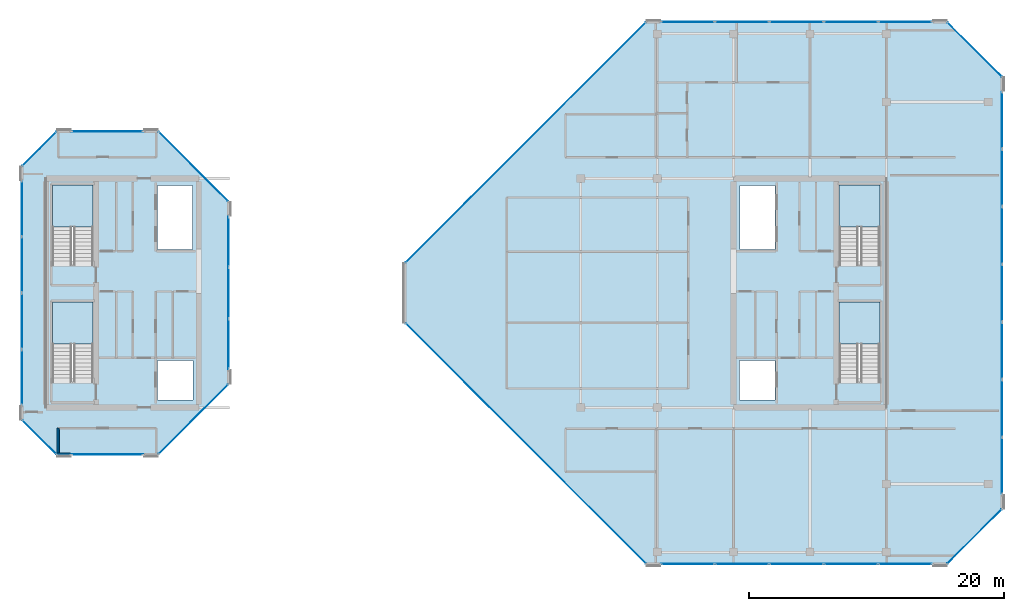
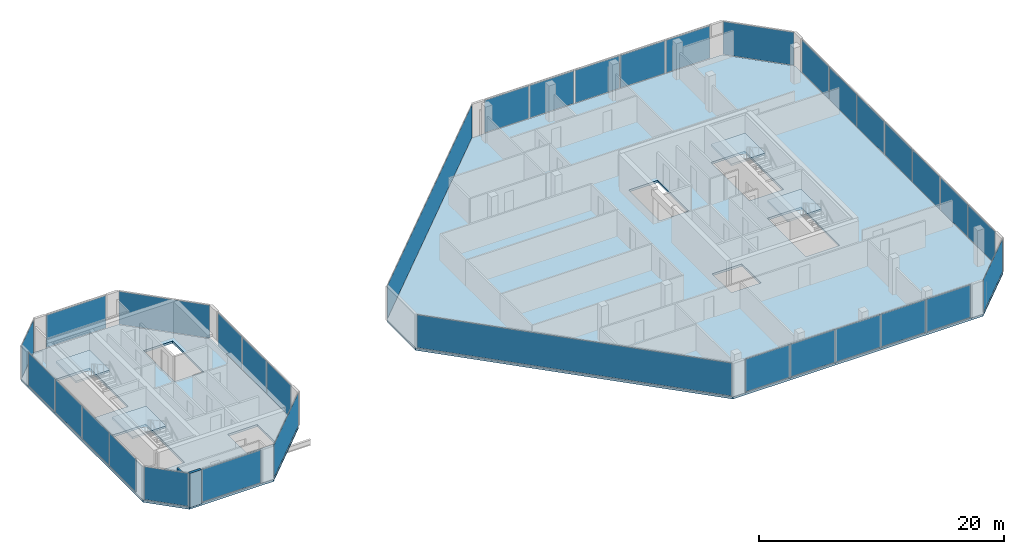
# One storey, part 22 of 30: 34 plates, 6 slabs, 2 walls, 19 elements without a shape of their own.
"""IFC4 building model written with IfcOpenShell, lengths in metres."""

from ifc_helpers import new_model, si_unit, direction, frame, frame_2d, origin, origin_2d, place, context, subcontext, project, spatial, polyline, rectangle, outline, extrude, material, layer, layer_set, type_object, element, aggregate, save


model = new_model("IFC4")

# Units and contexts
model_context = context("Model", 3, precision=1e-05, world=origin(), true_north=direction((0.0, 1.0)))
body_context = subcontext(model_context, "Body", "Model", "MODEL_VIEW")
ifc_project = project(units=[si_unit("LENGTHUNIT", "METRE"), si_unit("AREAUNIT", "SQUARE_METRE"), si_unit("VOLUMEUNIT", "CUBIC_METRE"), si_unit("PLANEANGLEUNIT", "RADIAN"), si_unit("MASSUNIT", "GRAM", prefix="KILO")], contexts=[model_context])

# Site, building, storey
site_placement = place(None, origin())
site = spatial("IfcSite", under=ifc_project, at=site_placement, CompositionType="ELEMENT")
building_placement = place(site_placement, origin())
building = spatial("IfcBuilding", under=site, at=building_placement, Name="Tanjung Sevakor Pilgrim Tower", CompositionType="ELEMENT")
storey_placement = place(building_placement, frame((0.0, 0.0, 253.43994140625)))
storey = spatial("IfcBuildingStorey", under=building, at=storey_placement, Name="L71", CompositionType="ELEMENT", Elevation=253.43994140625)

# Stair, slab
ifc_material_1 = material(Name="Concrete C40/50", Category="concrete")
stair_type = type_object("IfcStairType", Name="STAIR-ST-CR150", PredefinedType="HALF_TURN_STAIR", material=ifc_material_1)
stair_1_placement = place(storey_placement, origin())
stair_1 = element("IfcStair", 1, at=stair_1_placement, inside=storey, type_object=stair_type, Name="L71 West Core Exit Stair 1", PredefinedType="HALF_TURN_STAIR")
ifc_material_2 = material(Name="Concrete C40/50", Category="concrete")
ifc_layer_1 = layer(ifc_material_2, 0.199951171875)
ifc_layer_set_1 = layer_set([ifc_layer_1], Name="SL-LAND-200")
slab_type_1 = type_object("IfcSlabType", Name="SL-LAND-200", PredefinedType="LANDING", material=ifc_layer_set_1)
slab_1_placement = place(storey_placement, frame((0.0, 0.0, 1.614990234375)))
slab_1 = element("IfcSlab", 2, at=slab_1_placement, type_object=slab_type_1, Name="TS-W1 landing 1", PredefinedType="LANDING", context=body_context, shape_type="SweptSolid", body=[
    extrude(outline(polyline([(27.699951171875, 29.60009765625), (27.699951171875, 32.89990234375), (24.5, 32.89990234375), (24.5, 29.60009765625), (27.699951171875, 29.60009765625)])), origin(), (0.0, 0.0, 1.0), 0.199951171875),
])
aggregate(stair_1, [slab_1])

stair_2_placement = place(storey_placement, origin())
stair_2 = element("IfcStair", 3, at=stair_2_placement, inside=storey, type_object=stair_type, Name="L71 West Core Exit Stair 2", PredefinedType="HALF_TURN_STAIR")
slab_2_placement = place(storey_placement, frame((0.0, 0.0, 1.614990234375)))
slab_2 = element("IfcSlab", 4, at=slab_2_placement, type_object=slab_type_1, Name="TS-W2 landing 1", PredefinedType="LANDING", context=body_context, shape_type="SweptSolid", body=[
    extrude(outline(polyline([(27.699951171875, 38.800048828125), (27.699951171875, 42.10009765625), (24.5, 42.10009765625), (24.5, 38.800048828125), (27.699951171875, 38.800048828125)])), origin(), (0.0, 0.0, 1.0), 0.199951171875),
])
aggregate(stair_2, [slab_2])

stair_3_placement = place(storey_placement, origin())
stair_3 = element("IfcStair", 5, at=stair_3_placement, inside=storey, type_object=stair_type, Name="L71 East Core Exit Stair 1", PredefinedType="HALF_TURN_STAIR")
slab_3_placement = place(storey_placement, frame((0.0, 0.0, 1.614990234375)))
slab_3 = element("IfcSlab", 6, at=slab_3_placement, type_object=slab_type_1, Name="TS-E1 landing 1", PredefinedType="LANDING", context=body_context, shape_type="SweptSolid", body=[
    extrude(outline(polyline([(89.5, 29.60009765625), (89.5, 32.89990234375), (86.300048828125, 32.89990234375), (86.300048828125, 29.60009765625), (89.5, 29.60009765625)])), origin(), (0.0, 0.0, 1.0), 0.199951171875),
])
aggregate(stair_3, [slab_3])

stair_4_placement = place(storey_placement, origin())
stair_4 = element("IfcStair", 7, at=stair_4_placement, inside=storey, type_object=stair_type, Name="L71 East Core Exit Stair 2", PredefinedType="HALF_TURN_STAIR")
slab_4_placement = place(storey_placement, frame((0.0, 0.0, 1.614990234375)))
slab_4 = element("IfcSlab", 8, at=slab_4_placement, type_object=slab_type_1, Name="TS-E2 landing 1", PredefinedType="LANDING", context=body_context, shape_type="SweptSolid", body=[
    extrude(outline(polyline([(89.5, 38.800048828125), (89.5, 42.10009765625), (86.300048828125, 42.10009765625), (86.300048828125, 38.800048828125), (89.5, 38.800048828125)])), origin(), (0.0, 0.0, 1.0), 0.199951171875),
])
aggregate(stair_4, [slab_4])

# Slabs
ifc_material_3 = material(Name="Concrete C40/50", Category="concrete")
ifc_layer_2 = layer(ifc_material_3, 0.219970703125)
ifc_layer_set_2 = layer_set([ifc_layer_2], Name="SL-TWR-220")
slab_type_2 = type_object("IfcSlabType", Name="SL-TWR-220", PredefinedType="FLOOR", material=ifc_layer_set_2)
slab_5_placement = place(storey_placement, frame((0.0, 0.0, -0.219970703125)))
element("IfcSlab", 9, at=slab_5_placement, inside=storey, type_object=slab_type_2, Name="L71 Floor Slab WEST", PredefinedType="FLOOR", context=body_context, shape_type="SweptSolid", body=[
    extrude(outline(polyline([(24.846923828125, 20.8798828125), (32.802978515625, 20.8798828125), (38.3701171875, 26.447021484375), (38.3701171875, 40.753173828125), (32.802978515625, 46.320068359375), (24.846923828125, 46.320068359375), (22.080078125, 43.552978515625), (22.080078125, 23.64697265625), (24.846923828125, 20.8798828125)]), holes=[polyline([(27.699951171875, 26.60009765625), (27.699951171875, 32.89990234375), (24.5, 32.89990234375), (24.5, 26.60009765625), (27.699951171875, 26.60009765625)]), polyline([(27.699951171875, 35.800048828125), (27.699951171875, 42.10009765625), (24.5, 42.10009765625), (24.5, 35.800048828125), (27.699951171875, 35.800048828125)]), polyline([(32.75, 25.199951171875), (35.550048828125, 25.199951171875), (35.550048828125, 28.300048828125), (32.75, 28.300048828125), (32.75, 25.199951171875)]), polyline([(32.75, 37.0), (35.5, 37.0), (35.5, 42.050048828125), (32.75, 42.050048828125), (32.75, 37.0)])]), origin(), (0.0, 0.0, 1.0), 0.219970703125),
])
slab_6_placement = place(storey_placement, frame((0.0, 0.0, -0.219970703125)))
element("IfcSlab", 10, at=slab_6_placement, inside=storey, type_object=slab_type_2, Name="L71 Floor Slab EAST", PredefinedType="FLOOR", context=body_context, shape_type="SweptSolid", body=[
    extrude(outline(polyline([(71.14697265625, 12.280029296875), (94.753173828125, 12.280029296875), (99.1201171875, 16.64697265625), (99.1201171875, 50.552978515625), (94.753173828125, 54.919921875), (71.14697265625, 54.919921875), (52.179931640625, 35.953125), (52.179931640625, 31.246826171875), (71.14697265625, 12.280029296875)]), holes=[polyline([(89.5, 26.60009765625), (89.5, 32.89990234375), (86.300048828125, 32.89990234375), (86.300048828125, 26.60009765625), (89.5, 26.60009765625)]), polyline([(89.5, 35.800048828125), (89.5, 42.10009765625), (86.300048828125, 42.10009765625), (86.300048828125, 35.800048828125), (89.5, 35.800048828125)]), polyline([(78.449951171875, 25.199951171875), (81.25, 25.199951171875), (81.25, 28.300048828125), (78.449951171875, 28.300048828125), (78.449951171875, 25.199951171875)]), polyline([(78.5, 37.0), (81.25, 37.0), (81.25, 42.050048828125), (78.5, 42.050048828125), (78.5, 37.0)])]), origin(), (0.0, 0.0, 1.0), 0.219970703125),
])

# Curtain wall, plate
ifc_material_4 = material(Name="Aluminium 6063-T6 and Low-E Glass", Category="aluminium")
ifc_layer_3 = layer(ifc_material_4, 0.179931640625)
ifc_layer_set_3 = layer_set([ifc_layer_3], Name="CW-SYS-CHAM")
curtain_wall_type_1 = type_object("IfcCurtainWallType", Name="CW-SYS-CHAM", PredefinedType="NOTDEFINED", material=ifc_layer_set_3)
curtain_wall_1_placement = place(storey_placement, origin())
curtain_wall_1 = element("IfcCurtainWall", 11, at=curtain_wall_1_placement, inside=storey, type_object=curtain_wall_type_1, Name="L71 Curtain Wall CW-CHM-L71-WEST-1", PredefinedType="NOTDEFINED")
ifc_material_5 = material(Name="Laminated Low-E Double Glazing", Category="glass")
ifc_layer_4 = layer(ifc_material_5, 0.028076171875)
ifc_layer_set_4 = layer_set([ifc_layer_4], Name="TYPE-CWP-GLZ1")
plate_type_1 = type_object("IfcPlateType", Name="TYPE-CWP-GLZ1", PredefinedType="CURTAIN_PANEL", material=ifc_layer_set_4)
plate_1_placement = place(storey_placement, frame((35.572265625, 23.677734375, 0.06494140625), z_axis=(0.0, 0.0, 1.0), x_axis=(0.707106781187, 0.707106781187, 0.0)))
plate_1 = element("IfcPlate", 12, at=plate_1_placement, type_object=plate_type_1, Name="CW-CHM panel 1.1", PredefinedType="CURTAIN_PANEL", context=body_context, shape_type="SweptSolid", body=[
    extrude(rectangle(XDim=7.698486328125, YDim=0.028076171875, at=origin_2d()), origin(), (0.0, 0.0, 1.0), 3.280029296875),
])
aggregate(curtain_wall_1, [plate_1])

curtain_wall_2_placement = place(storey_placement, origin())
curtain_wall_2 = element("IfcCurtainWall", 13, at=curtain_wall_2_placement, inside=storey, type_object=curtain_wall_type_1, Name="L71 Curtain Wall CW-CHM-L71-WEST-3", PredefinedType="NOTDEFINED")
plate_2_placement = place(storey_placement, frame((35.572265625, 43.522216796875, 0.06494140625), z_axis=(0.0, 0.0, 1.0), x_axis=(-0.707106781187, 0.707106781187, 0.0)))
plate_2 = element("IfcPlate", 14, at=plate_2_placement, type_object=plate_type_1, Name="CW-CHM panel 1.1", PredefinedType="CURTAIN_PANEL", context=body_context, shape_type="SweptSolid", body=[
    extrude(rectangle(XDim=7.698486328125, YDim=0.028076171875, at=origin_2d()), origin(), (0.0, 0.0, 1.0), 3.280029296875),
])
aggregate(curtain_wall_2, [plate_2])

curtain_wall_3_placement = place(storey_placement, origin())
curtain_wall_3 = element("IfcCurtainWall", 15, at=curtain_wall_3_placement, inside=storey, type_object=curtain_wall_type_1, Name="L71 Curtain Wall CW-CHM-L71-WEST-5", PredefinedType="NOTDEFINED")
plate_3_placement = place(storey_placement, frame((23.477783203125, 44.922119140625, 0.06494140625), z_axis=(0.0, 0.0, 1.0), x_axis=(-0.707106781187, -0.707106781187, 0.0)))
plate_3 = element("IfcPlate", 16, at=plate_3_placement, type_object=plate_type_1, Name="CW-CHM panel 1.1", PredefinedType="CURTAIN_PANEL", context=body_context, shape_type="SweptSolid", body=[
    extrude(rectangle(XDim=3.73876953125, YDim=0.028076171875, at=origin_2d()), origin(), (0.0, 0.0, 1.0), 3.280029296875),
])
aggregate(curtain_wall_3, [plate_3])

curtain_wall_4_placement = place(storey_placement, origin())
curtain_wall_4 = element("IfcCurtainWall", 17, at=curtain_wall_4_placement, inside=storey, type_object=curtain_wall_type_1, Name="L71 Curtain Wall CW-CHM-L71-WEST-7", PredefinedType="NOTDEFINED")
plate_4_placement = place(storey_placement, frame((23.477783203125, 22.27783203125, 0.06494140625), z_axis=(0.0, 0.0, 1.0), x_axis=(0.707106781187, -0.707106781187, 0.0)))
plate_4 = element("IfcPlate", 18, at=plate_4_placement, type_object=plate_type_1, Name="CW-CHM panel 1.1", PredefinedType="CURTAIN_PANEL", context=body_context, shape_type="SweptSolid", body=[
    extrude(rectangle(XDim=3.73876953125, YDim=0.028076171875, at=origin_2d()), origin(), (0.0, 0.0, 1.0), 3.280029296875),
])
aggregate(curtain_wall_4, [plate_4])

curtain_wall_5_placement = place(storey_placement, origin())
curtain_wall_5 = element("IfcCurtainWall", 19, at=curtain_wall_5_placement, inside=storey, type_object=curtain_wall_type_1, Name="L71 Curtain Wall CW-CHM-L71-EAST-1", PredefinedType="NOTDEFINED")
plate_5_placement = place(storey_placement, frame((96.922119140625, 14.477783203125, 0.06494140625), z_axis=(0.0, 0.0, 1.0), x_axis=(0.707106781187, 0.707106781187, 0.0)))
plate_5 = element("IfcPlate", 20, at=plate_5_placement, type_object=plate_type_1, Name="CW-CHM panel 1.1", PredefinedType="CURTAIN_PANEL", context=body_context, shape_type="SweptSolid", body=[
    extrude(rectangle(XDim=6.00146484375, YDim=0.028076171875, at=origin_2d()), origin(), (0.0, 0.0, 1.0), 3.280029296875),
])
aggregate(curtain_wall_5, [plate_5])

curtain_wall_6_placement = place(storey_placement, origin())
curtain_wall_6 = element("IfcCurtainWall", 21, at=curtain_wall_6_placement, inside=storey, type_object=curtain_wall_type_1, Name="L71 Curtain Wall CW-CHM-L71-EAST-3", PredefinedType="NOTDEFINED")
plate_6_placement = place(storey_placement, frame((96.922119140625, 52.72216796875, 0.06494140625), z_axis=(0.0, 0.0, 1.0), x_axis=(-0.707106781187, 0.707106781187, 0.0)))
plate_6 = element("IfcPlate", 22, at=plate_6_placement, type_object=plate_type_1, Name="CW-CHM panel 1.1", PredefinedType="CURTAIN_PANEL", context=body_context, shape_type="SweptSolid", body=[
    extrude(rectangle(XDim=6.00146484375, YDim=0.028076171875, at=origin_2d()), origin(), (0.0, 0.0, 1.0), 3.280029296875),
])
aggregate(curtain_wall_6, [plate_6])

curtain_wall_7_placement = place(storey_placement, origin())
curtain_wall_7 = element("IfcCurtainWall", 23, at=curtain_wall_7_placement, inside=storey, type_object=curtain_wall_type_1, Name="L71 Curtain Wall CW-CHM-L71-EAST-5", PredefinedType="NOTDEFINED")
plate_7_placement = place(storey_placement, frame((61.677734375, 45.422119140625, 0.06494140625), z_axis=(0.0, 0.0, 1.0), x_axis=(-0.707106781187, -0.707106781187, 0.0)))
plate_7 = element("IfcPlate", 24, at=plate_7_placement, type_object=plate_type_1, Name="CW-CHM panel 1.1", PredefinedType="CURTAIN_PANEL", context=body_context, shape_type="SweptSolid", body=[
    extrude(rectangle(XDim=26.64892578125, YDim=0.028076171875, at=origin_2d()), origin(), (0.0, 0.0, 1.0), 3.280029296875),
])
aggregate(curtain_wall_7, [plate_7])

curtain_wall_8_placement = place(storey_placement, origin())
curtain_wall_8 = element("IfcCurtainWall", 25, at=curtain_wall_8_placement, inside=storey, type_object=curtain_wall_type_1, Name="L71 Curtain Wall CW-CHM-L71-EAST-7", PredefinedType="NOTDEFINED")
plate_8_placement = place(storey_placement, frame((61.677734375, 21.77783203125, 0.06494140625), z_axis=(0.0, 0.0, 1.0), x_axis=(0.707106781187, -0.707106781187, 0.0)))
plate_8 = element("IfcPlate", 26, at=plate_8_placement, type_object=plate_type_1, Name="CW-CHM panel 1.1", PredefinedType="CURTAIN_PANEL", context=body_context, shape_type="SweptSolid", body=[
    extrude(rectangle(XDim=26.64892578125, YDim=0.028076171875, at=origin_2d()), origin(), (0.0, 0.0, 1.0), 3.280029296875),
])
aggregate(curtain_wall_8, [plate_8])

ifc_material_6 = material(Name="Aluminium 6063-T6 and Low-E Glass", Category="aluminium")
ifc_layer_5 = layer(ifc_material_6, 0.199951171875)
ifc_layer_set_5 = layer_set([ifc_layer_5], Name="CW-SYS-CRNW")
curtain_wall_type_2 = type_object("IfcCurtainWallType", Name="CW-SYS-CRNW", PredefinedType="NOTDEFINED", material=ifc_layer_set_5)
curtain_wall_9_placement = place(storey_placement, origin())
curtain_wall_9 = element("IfcCurtainWall", 27, at=curtain_wall_9_placement, inside=storey, type_object=curtain_wall_type_2, Name="L71 Curtain Wall CW-CRN-L71-WEST-0-1", PredefinedType="NOTDEFINED")
ifc_material_7 = material(Name="Solar-Control Low-E Acoustic Glazing", Category="glass")
ifc_layer_6 = layer(ifc_material_7, 0.031982421875)
ifc_layer_set_6 = layer_set([ifc_layer_6], Name="TYPE-CWP-GLZ2")
plate_type_2 = type_object("IfcPlateType", Name="TYPE-CWP-GLZ2", PredefinedType="CURTAIN_PANEL", material=ifc_layer_set_6)
plate_9_placement = place(storey_placement, frame((28.824951171875, 20.909912109375, 0.080078125), z_axis=(0.0, 0.0, 1.0), x_axis=(1.0, 0.0, 0.0)))
plate_9 = element("IfcPlate", 28, at=plate_9_placement, type_object=plate_type_2, Name="CW-CRW panel 1.1", PredefinedType="CURTAIN_PANEL", context=body_context, shape_type="SweptSolid", body=[
    extrude(rectangle(XDim=5.598876953125, YDim=0.031982421875, at=origin_2d()), origin(), (0.0, 0.0, 1.0), 3.25),
])
aggregate(curtain_wall_9, [plate_9])

# Curtain wall, plates
curtain_wall_10_placement = place(storey_placement, origin())
curtain_wall_10 = element("IfcCurtainWall", 29, at=curtain_wall_10_placement, inside=storey, type_object=curtain_wall_type_2, Name="L71 Curtain Wall CW-CRN-L71-WEST-2-1", PredefinedType="NOTDEFINED")
plate_10_placement = place(storey_placement, frame((38.340087890625, 29.583740234375, 0.080078125), z_axis=(0.0, 0.0, 1.0), x_axis=(0.0, 1.0, 0.0)))
plate_10 = element("IfcPlate", 30, at=plate_10_placement, type_object=plate_type_2, Name="CW-CRW panel 1.1", PredefinedType="CURTAIN_PANEL", context=body_context, shape_type="SweptSolid", body=[
    extrude(rectangle(XDim=3.916259765625, YDim=0.031982421875, at=origin_2d()), origin(), (0.0, 0.0, 1.0), 3.25),
])
plate_11_placement = place(storey_placement, frame((38.340087890625, 33.60009765625, 0.080078125), z_axis=(0.0, 0.0, 1.0), x_axis=(0.0, 1.0, 0.0)))
plate_11 = element("IfcPlate", 31, at=plate_11_placement, type_object=plate_type_2, Name="CW-CRW panel 2.1", PredefinedType="CURTAIN_PANEL", context=body_context, shape_type="SweptSolid", body=[
    extrude(rectangle(XDim=3.956298828125, YDim=0.031982421875, at=origin_2d()), origin(), (0.0, 0.0, 1.0), 3.25),
])
plate_12_placement = place(storey_placement, frame((38.340087890625, 37.6162109375, 0.080078125), z_axis=(0.0, 0.0, 1.0), x_axis=(0.0, 1.0, 0.0)))
plate_12 = element("IfcPlate", 32, at=plate_12_placement, type_object=plate_type_2, Name="CW-CRW panel 3.1", PredefinedType="CURTAIN_PANEL", context=body_context, shape_type="SweptSolid", body=[
    extrude(rectangle(XDim=3.916259765625, YDim=0.031982421875, at=origin_2d()), origin(), (0.0, 0.0, 1.0), 3.25),
])
aggregate(curtain_wall_10, [plate_10, plate_11, plate_12])

# Curtain wall, plate
curtain_wall_11_placement = place(storey_placement, origin())
curtain_wall_11 = element("IfcCurtainWall", 33, at=curtain_wall_11_placement, inside=storey, type_object=curtain_wall_type_2, Name="L71 Curtain Wall CW-CRN-L71-WEST-4-1", PredefinedType="NOTDEFINED")
plate_13_placement = place(storey_placement, frame((28.824951171875, 46.2900390625, 0.080078125), z_axis=(0.0, 0.0, 1.0), x_axis=(-1.0, 0.0, 0.0)))
plate_13 = element("IfcPlate", 34, at=plate_13_placement, type_object=plate_type_2, Name="CW-CRW panel 1.1", PredefinedType="CURTAIN_PANEL", context=body_context, shape_type="SweptSolid", body=[
    extrude(rectangle(XDim=5.598876953125, YDim=0.031982421875, at=origin_2d()), origin(), (0.0, 0.0, 1.0), 3.25),
])
aggregate(curtain_wall_11, [plate_13])

# Curtain wall, plates
curtain_wall_12_placement = place(storey_placement, origin())
curtain_wall_12 = element("IfcCurtainWall", 35, at=curtain_wall_12_placement, inside=storey, type_object=curtain_wall_type_2, Name="L71 Curtain Wall CW-CRN-L71-WEST-6-1", PredefinedType="NOTDEFINED")
plate_14_placement = place(storey_placement, frame((22.110107421875, 40.220703125, 0.080078125), z_axis=(0.0, 0.0, 1.0), x_axis=(0.0, -1.0, 0.0)))
plate_14 = element("IfcPlate", 36, at=plate_14_placement, type_object=plate_type_2, Name="CW-CRW panel 1.1", PredefinedType="CURTAIN_PANEL", context=body_context, shape_type="SweptSolid", body=[
    extrude(rectangle(XDim=4.30712890625, YDim=0.031982421875, at=origin_2d()), origin(), (0.0, 0.0, 1.0), 3.25),
])
plate_15_placement = place(storey_placement, frame((22.110107421875, 35.813720703125, 0.080078125), z_axis=(0.0, 0.0, 1.0), x_axis=(0.0, -1.0, 0.0)))
plate_15 = element("IfcPlate", 37, at=plate_15_placement, type_object=plate_type_2, Name="CW-CRW panel 2.1", PredefinedType="CURTAIN_PANEL", context=body_context, shape_type="SweptSolid", body=[
    extrude(rectangle(XDim=4.34716796875, YDim=0.031982421875, at=origin_2d()), origin(), (0.0, 0.0, 1.0), 3.25),
])
plate_16_placement = place(storey_placement, frame((22.110107421875, 31.386474609375, 0.080078125), z_axis=(0.0, 0.0, 1.0), x_axis=(0.0, -1.0, 0.0)))
plate_16 = element("IfcPlate", 38, at=plate_16_placement, type_object=plate_type_2, Name="CW-CRW panel 3.1", PredefinedType="CURTAIN_PANEL", context=body_context, shape_type="SweptSolid", body=[
    extrude(rectangle(XDim=4.34716796875, YDim=0.031982421875, at=origin_2d()), origin(), (0.0, 0.0, 1.0), 3.25),
])
plate_17_placement = place(storey_placement, frame((22.110107421875, 26.979248046875, 0.080078125), z_axis=(0.0, 0.0, 1.0), x_axis=(0.0, -1.0, 0.0)))
plate_17 = element("IfcPlate", 39, at=plate_17_placement, type_object=plate_type_2, Name="CW-CRW panel 4.1", PredefinedType="CURTAIN_PANEL", context=body_context, shape_type="SweptSolid", body=[
    extrude(rectangle(XDim=4.30712890625, YDim=0.031982421875, at=origin_2d()), origin(), (0.0, 0.0, 1.0), 3.25),
])
aggregate(curtain_wall_12, [plate_14, plate_15, plate_16, plate_17])

ifc_material_8 = material(Name="Aluminium 6063-T6 and Low-E Glass", Category="aluminium")
ifc_layer_7 = layer(ifc_material_8, 0.219970703125)
ifc_layer_set_7 = layer_set([ifc_layer_7], Name="CW-SYS-CRNE")
curtain_wall_type_3 = type_object("IfcCurtainWallType", Name="CW-SYS-CRNE", PredefinedType="NOTDEFINED", material=ifc_layer_set_7)
curtain_wall_13_placement = place(storey_placement, origin())
curtain_wall_13 = element("IfcCurtainWall", 40, at=curtain_wall_13_placement, inside=storey, type_object=curtain_wall_type_3, Name="L71 Curtain Wall CW-CRN-L71-EAST-0-1", PredefinedType="NOTDEFINED")
plate_18_placement = place(storey_placement, frame((74.406494140625, 12.31005859375, 0.080078125), z_axis=(0.0, 0.0, 1.0), x_axis=(1.0, 0.0, 0.0)))
plate_18 = element("IfcPlate", 41, at=plate_18_placement, type_object=plate_type_2, Name="CW-CRE panel 1.1", PredefinedType="CURTAIN_PANEL", context=body_context, shape_type="SweptSolid", body=[
    extrude(rectangle(XDim=4.161865234375, YDim=0.031982421875, at=origin_2d()), origin(), (0.0, 0.0, 1.0), 3.25),
])
plate_19_placement = place(storey_placement, frame((78.668212890625, 12.31005859375, 0.080078125), z_axis=(0.0, 0.0, 1.0), x_axis=(1.0, 0.0, 0.0)))
plate_19 = element("IfcPlate", 42, at=plate_19_placement, type_object=plate_type_2, Name="CW-CRE panel 2.1", PredefinedType="CURTAIN_PANEL", context=body_context, shape_type="SweptSolid", body=[
    extrude(rectangle(XDim=4.20166015625, YDim=0.031982421875, at=origin_2d()), origin(), (0.0, 0.0, 1.0), 3.25),
])
plate_20_placement = place(storey_placement, frame((82.949951171875, 12.31005859375, 0.080078125), z_axis=(0.0, 0.0, 1.0), x_axis=(1.0, 0.0, 0.0)))
plate_20 = element("IfcPlate", 43, at=plate_20_placement, type_object=plate_type_2, Name="CW-CRE panel 3.1", PredefinedType="CURTAIN_PANEL", context=body_context, shape_type="SweptSolid", body=[
    extrude(rectangle(XDim=4.20166015625, YDim=0.031982421875, at=origin_2d()), origin(), (0.0, 0.0, 1.0), 3.25),
])
plate_21_placement = place(storey_placement, frame((87.231689453125, 12.31005859375, 0.080078125), z_axis=(0.0, 0.0, 1.0), x_axis=(1.0, 0.0, 0.0)))
plate_21 = element("IfcPlate", 44, at=plate_21_placement, type_object=plate_type_2, Name="CW-CRE panel 4.1", PredefinedType="CURTAIN_PANEL", context=body_context, shape_type="SweptSolid", body=[
    extrude(rectangle(XDim=4.20166015625, YDim=0.031982421875, at=origin_2d()), origin(), (0.0, 0.0, 1.0), 3.25),
])
plate_22_placement = place(storey_placement, frame((91.493408203125, 12.31005859375, 0.080078125), z_axis=(0.0, 0.0, 1.0), x_axis=(1.0, 0.0, 0.0)))
plate_22 = element("IfcPlate", 45, at=plate_22_placement, type_object=plate_type_2, Name="CW-CRE panel 5.1", PredefinedType="CURTAIN_PANEL", context=body_context, shape_type="SweptSolid", body=[
    extrude(rectangle(XDim=4.161865234375, YDim=0.031982421875, at=origin_2d()), origin(), (0.0, 0.0, 1.0), 3.25),
])
aggregate(curtain_wall_13, [plate_18, plate_19, plate_20, plate_21, plate_22])

curtain_wall_14_placement = place(storey_placement, origin())
curtain_wall_14 = element("IfcCurtainWall", 46, at=curtain_wall_14_placement, inside=storey, type_object=curtain_wall_type_3, Name="L71 Curtain Wall CW-CRN-L71-EAST-2-1", PredefinedType="NOTDEFINED")
plate_23_placement = place(storey_placement, frame((99.090087890625, 20.030517578125, 0.080078125), z_axis=(0.0, 0.0, 1.0), x_axis=(0.0, 1.0, 0.0)))
plate_23 = element("IfcPlate", 47, at=plate_23_placement, type_object=plate_type_2, Name="CW-CRE panel 1.1", PredefinedType="CURTAIN_PANEL", context=body_context, shape_type="SweptSolid", body=[
    extrude(rectangle(XDim=4.409912109375, YDim=0.031982421875, at=origin_2d()), origin(), (0.0, 0.0, 1.0), 3.25),
])
plate_24_placement = place(storey_placement, frame((99.090087890625, 24.540283203125, 0.080078125), z_axis=(0.0, 0.0, 1.0), x_axis=(0.0, 1.0, 0.0)))
plate_24 = element("IfcPlate", 48, at=plate_24_placement, type_object=plate_type_2, Name="CW-CRE panel 2.1", PredefinedType="CURTAIN_PANEL", context=body_context, shape_type="SweptSolid", body=[
    extrude(rectangle(XDim=4.44970703125, YDim=0.031982421875, at=origin_2d()), origin(), (0.0, 0.0, 1.0), 3.25),
])
plate_25_placement = place(storey_placement, frame((99.090087890625, 29.070068359375, 0.080078125), z_axis=(0.0, 0.0, 1.0), x_axis=(0.0, 1.0, 0.0)))
plate_25 = element("IfcPlate", 49, at=plate_25_placement, type_object=plate_type_2, Name="CW-CRE panel 3.1", PredefinedType="CURTAIN_PANEL", context=body_context, shape_type="SweptSolid", body=[
    extrude(rectangle(XDim=4.44970703125, YDim=0.031982421875, at=origin_2d()), origin(), (0.0, 0.0, 1.0), 3.25),
])
plate_26_placement = place(storey_placement, frame((99.090087890625, 33.60009765625, 0.080078125), z_axis=(0.0, 0.0, 1.0), x_axis=(0.0, 1.0, 0.0)))
plate_26 = element("IfcPlate", 50, at=plate_26_placement, type_object=plate_type_2, Name="CW-CRE panel 4.1", PredefinedType="CURTAIN_PANEL", context=body_context, shape_type="SweptSolid", body=[
    extrude(rectangle(XDim=4.44970703125, YDim=0.031982421875, at=origin_2d()), origin(), (0.0, 0.0, 1.0), 3.25),
])
plate_27_placement = place(storey_placement, frame((99.090087890625, 38.1298828125, 0.080078125), z_axis=(0.0, 0.0, 1.0), x_axis=(0.0, 1.0, 0.0)))
plate_27 = element("IfcPlate", 51, at=plate_27_placement, type_object=plate_type_2, Name="CW-CRE panel 5.1", PredefinedType="CURTAIN_PANEL", context=body_context, shape_type="SweptSolid", body=[
    extrude(rectangle(XDim=4.44970703125, YDim=0.031982421875, at=origin_2d()), origin(), (0.0, 0.0, 1.0), 3.25),
])
plate_28_placement = place(storey_placement, frame((99.090087890625, 42.65966796875, 0.080078125), z_axis=(0.0, 0.0, 1.0), x_axis=(0.0, 1.0, 0.0)))
plate_28 = element("IfcPlate", 52, at=plate_28_placement, type_object=plate_type_2, Name="CW-CRE panel 6.1", PredefinedType="CURTAIN_PANEL", context=body_context, shape_type="SweptSolid", body=[
    extrude(rectangle(XDim=4.44970703125, YDim=0.031982421875, at=origin_2d()), origin(), (0.0, 0.0, 1.0), 3.25),
])
plate_29_placement = place(storey_placement, frame((99.090087890625, 47.16943359375, 0.080078125), z_axis=(0.0, 0.0, 1.0), x_axis=(0.0, 1.0, 0.0)))
plate_29 = element("IfcPlate", 53, at=plate_29_placement, type_object=plate_type_2, Name="CW-CRE panel 7.1", PredefinedType="CURTAIN_PANEL", context=body_context, shape_type="SweptSolid", body=[
    extrude(rectangle(XDim=4.409912109375, YDim=0.031982421875, at=origin_2d()), origin(), (0.0, 0.0, 1.0), 3.25),
])
aggregate(curtain_wall_14, [plate_23, plate_24, plate_25, plate_26, plate_27, plate_28, plate_29])

curtain_wall_15_placement = place(storey_placement, origin())
curtain_wall_15 = element("IfcCurtainWall", 54, at=curtain_wall_15_placement, inside=storey, type_object=curtain_wall_type_3, Name="L71 Curtain Wall CW-CRN-L71-EAST-4-1", PredefinedType="NOTDEFINED")
plate_30_placement = place(storey_placement, frame((91.493408203125, 54.889892578125, 0.080078125), z_axis=(0.0, 0.0, 1.0), x_axis=(-1.0, 0.0, 0.0)))
plate_30 = element("IfcPlate", 55, at=plate_30_placement, type_object=plate_type_2, Name="CW-CRE panel 1.1", PredefinedType="CURTAIN_PANEL", context=body_context, shape_type="SweptSolid", body=[
    extrude(rectangle(XDim=4.161865234375, YDim=0.031982421875, at=origin_2d()), origin(), (0.0, 0.0, 1.0), 3.25),
])
plate_31_placement = place(storey_placement, frame((87.231689453125, 54.889892578125, 0.080078125), z_axis=(0.0, 0.0, 1.0), x_axis=(-1.0, 0.0, 0.0)))
plate_31 = element("IfcPlate", 56, at=plate_31_placement, type_object=plate_type_2, Name="CW-CRE panel 2.1", PredefinedType="CURTAIN_PANEL", context=body_context, shape_type="SweptSolid", body=[
    extrude(rectangle(XDim=4.20166015625, YDim=0.031982421875, at=origin_2d()), origin(), (0.0, 0.0, 1.0), 3.25),
])
plate_32_placement = place(storey_placement, frame((82.949951171875, 54.889892578125, 0.080078125), z_axis=(0.0, 0.0, 1.0), x_axis=(-1.0, 0.0, 0.0)))
plate_32 = element("IfcPlate", 57, at=plate_32_placement, type_object=plate_type_2, Name="CW-CRE panel 3.1", PredefinedType="CURTAIN_PANEL", context=body_context, shape_type="SweptSolid", body=[
    extrude(rectangle(XDim=4.20166015625, YDim=0.031982421875, at=origin_2d()), origin(), (0.0, 0.0, 1.0), 3.25),
])
plate_33_placement = place(storey_placement, frame((78.668212890625, 54.889892578125, 0.080078125), z_axis=(0.0, 0.0, 1.0), x_axis=(-1.0, 0.0, 0.0)))
plate_33 = element("IfcPlate", 58, at=plate_33_placement, type_object=plate_type_2, Name="CW-CRE panel 4.1", PredefinedType="CURTAIN_PANEL", context=body_context, shape_type="SweptSolid", body=[
    extrude(rectangle(XDim=4.20166015625, YDim=0.031982421875, at=origin_2d()), origin(), (0.0, 0.0, 1.0), 3.25),
])
plate_34_placement = place(storey_placement, frame((74.406494140625, 54.889892578125, 0.080078125), z_axis=(0.0, 0.0, 1.0), x_axis=(-1.0, 0.0, 0.0)))
plate_34 = element("IfcPlate", 59, at=plate_34_placement, type_object=plate_type_2, Name="CW-CRE panel 5.1", PredefinedType="CURTAIN_PANEL", context=body_context, shape_type="SweptSolid", body=[
    extrude(rectangle(XDim=4.161865234375, YDim=0.031982421875, at=origin_2d()), origin(), (0.0, 0.0, 1.0), 3.25),
])
aggregate(curtain_wall_15, [plate_30, plate_31, plate_32, plate_33, plate_34])

# Walls
ifc_material_9 = material(Name="Concrete C40/50", Category="concrete")
ifc_layer_8 = layer(ifc_material_9, 0.14990234375)
ifc_layer_set_8 = layer_set([ifc_layer_8], Name="WT-COMP-150")
wall_type_1 = type_object("IfcWallType", Name="WT-COMP-150", PredefinedType="SOLIDWALL", material=ifc_layer_set_8)
wall_1_placement = place(storey_placement, frame((24.949951171875, 20.919921875, 0.0), z_axis=(0.0, 0.0, 1.0), x_axis=(0.0, 1.0, 0.0)))
element("IfcWall", 60, at=wall_1_placement, inside=storey, type_object=wall_type_1, Name="L71 Partition IW-L71-034", PredefinedType="SOLIDWALL", context=body_context, shape_type="SweptSolid", body=[
    extrude(rectangle(XDim=2.06005859375, YDim=0.14990234375, at=frame_2d((1.030029296875, 0.0))), origin(), (0.0, 0.0, 1.0), 2.6298828125),
])
ifc_material_10 = material(Name="Precast concrete C45/55", Category="concrete")
ifc_layer_9 = layer(ifc_material_10, 0.219970703125)
ifc_layer_set_9 = layer_set([ifc_layer_9], Name="WT-EW-STN4")
wall_type_2 = type_object("IfcWallType", Name="WT-EW-STN4", PredefinedType="SOLIDWALL", material=ifc_layer_set_9)
wall_2_placement = place(storey_placement, frame((24.845703125, 20.909912109375, 0.0), z_axis=(0.0, 0.0, 1.0), x_axis=(1.0, 0.0, 0.0)))
element("IfcWall", 61, at=wall_2_placement, inside=storey, type_object=wall_type_2, Name="L71 WEST Crown Pier 0-1A", PredefinedType="SOLIDWALL", context=body_context, shape_type="SweptSolid", body=[
    extrude(rectangle(XDim=1.099853515625, YDim=0.219970703125, at=frame_2d((0.5498046875, 0.0))), origin(), (0.0, 0.0, 1.0), 3.409912109375),
])

save(model, "model.ifc")
